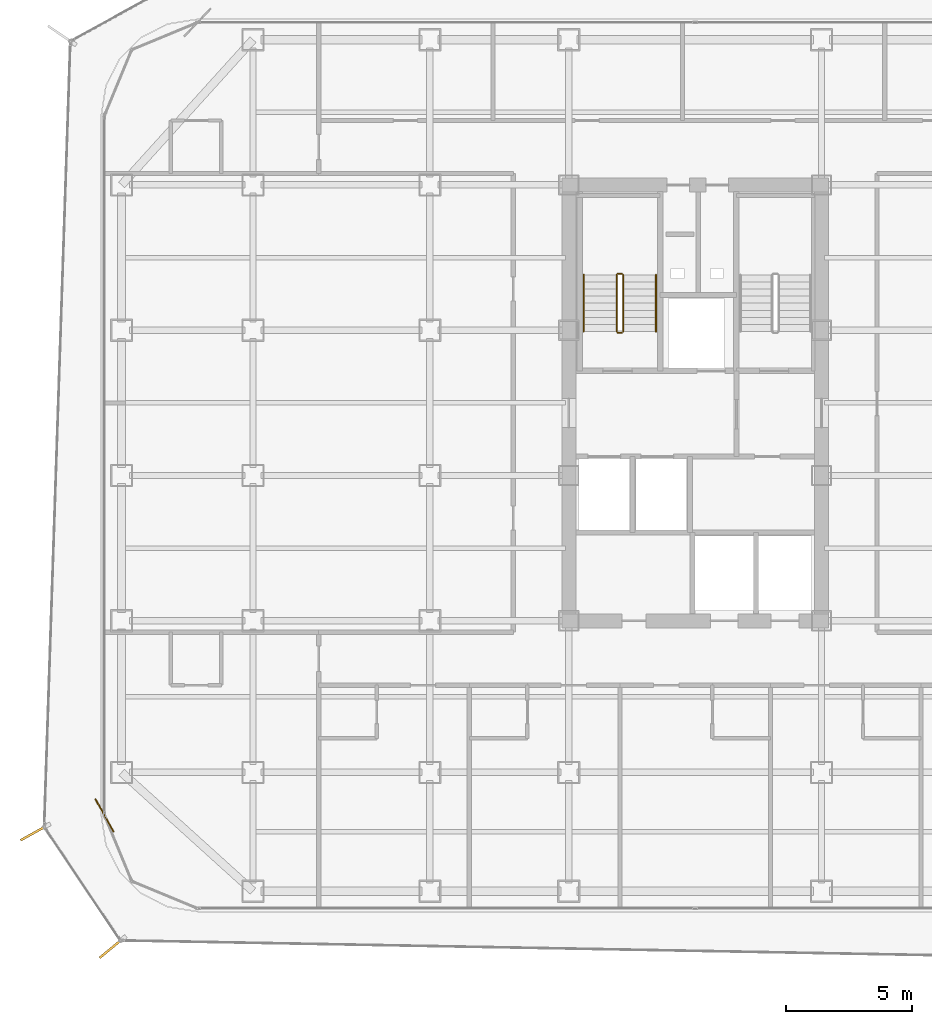
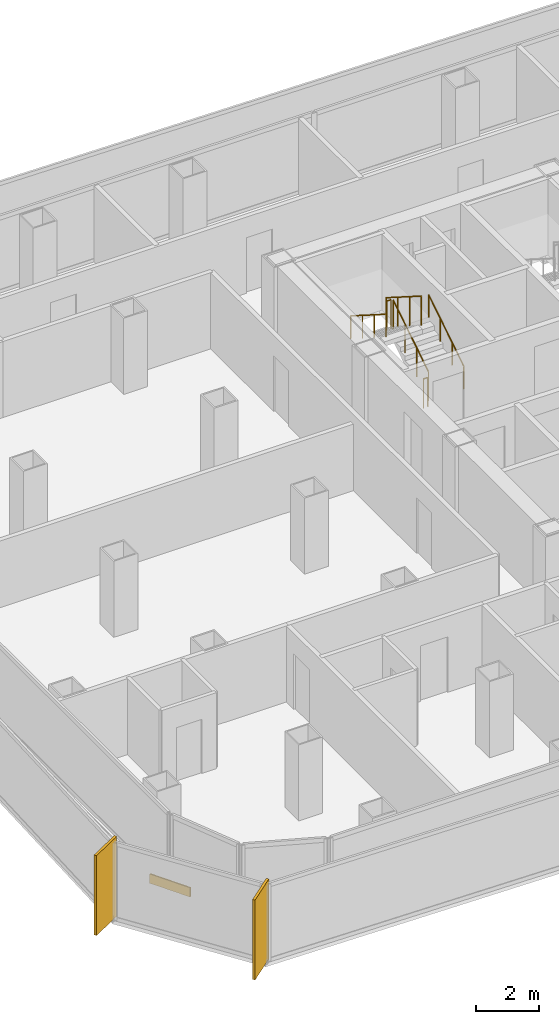
# One storey, part 19 of 21: 6 railings, 2 shading devices, 1 covering.
"""IFC4 building model written with IfcOpenShell, lengths in metres."""

from ifc_helpers import new_model, si_unit, direction, frame, origin, origin_2d, place, context, subcontext, project, spatial, rectangle, circle, extrude, source, transform, mapped, material, layer, layer_set, type_object, element, save


model = new_model("IFC4")

# Units and contexts
model_context = context("Model", 3, precision=1e-05, world=origin(), true_north=direction((0.0, 1.0)))
body_context = subcontext(model_context, "Body", "Model", "MODEL_VIEW")
ifc_project = project(units=[si_unit("LENGTHUNIT", "METRE"), si_unit("AREAUNIT", "SQUARE_METRE"), si_unit("VOLUMEUNIT", "CUBIC_METRE"), si_unit("PLANEANGLEUNIT", "RADIAN"), si_unit("MASSUNIT", "GRAM", prefix="KILO")], contexts=[model_context])

# Site, building, storey
site_placement = place(None, origin())
site = spatial("IfcSite", under=ifc_project, at=site_placement, CompositionType="ELEMENT")
building_placement = place(site_placement, origin())
building = spatial("IfcBuilding", under=site, at=building_placement, Name="Kolveth Station Tower", CompositionType="ELEMENT")
storey_placement = place(building_placement, frame((0.0, 0.0, 111.89990234375)))
storey = spatial("IfcBuildingStorey", under=building, at=storey_placement, Name="L30", CompositionType="ELEMENT", Elevation=111.89990234375)

# Railings
ifc_material_1 = material(Name="Painted Steel S355 balustrade", Category="steel")
railing_type_1 = type_object("IfcRailingType", Name="Guard_GR2", PredefinedType="BALUSTRADE", material=ifc_material_1)
railing_1_placement = place(storey_placement, frame((20.64990234375, 22.949951171875, 0.177978515625)))
element("IfcRailing", 1, at=railing_1_placement, inside=storey, type_object=railing_type_1, Name="L30 ST1 stair guard 1", PredefinedType="BALUSTRADE", context=body_context, shape_type="SweptSolid", body=[
    extrude(circle(Radius=0.02392578125, at=origin_2d()), frame((0.0, 0.0, 1.1259765625), z_axis=(0.0, 0.8442293374, 0.53598211339), x_axis=(-1.0, 0.0, 0.0)), (0.0, 0.0, 1.0), 2.6533203125),
    extrude(circle(Radius=0.02099609375, at=origin_2d()), origin(), (0.0, 0.0, 1.0), 1.101806640625),
    extrude(circle(Radius=0.02099609375, at=origin_2d()), frame((0.0, 0.74658203125, 0.47412109375)), (0.0, 0.0, 1.0), 1.101806640625),
    extrude(circle(Radius=0.02099609375, at=origin_2d()), frame((0.0, 1.493408203125, 0.947998046875)), (0.0, 0.0, 1.0), 1.101806640625),
    extrude(circle(Radius=0.02099609375, at=origin_2d()), frame((0.0, 2.239990234375, 1.422119140625)), (0.0, 0.0, 1.0), 1.101806640625),
])
railing_2_placement = place(storey_placement, frame((20.60009765625, 25.239990234375, 1.60009765625)))
element("IfcRailing", 2, at=railing_2_placement, inside=storey, type_object=railing_type_1, Name="L30 ST1 stair guard 2", PredefinedType="BALUSTRADE", context=body_context, shape_type="SweptSolid", body=[
    extrude(circle(Radius=0.02392578125, at=origin_2d()), frame((0.0, 0.0, 1.1259765625), z_axis=(-1.0, 0.0, 0.0), x_axis=(0.0, -1.0, 0.0)), (0.0, 0.0, 1.0), 0.16015625),
    extrude(circle(Radius=0.02099609375, at=origin_2d()), origin(), (0.0, 0.0, 1.0), 1.101806640625),
    extrude(circle(Radius=0.02099609375, at=origin_2d()), frame((-0.16015625, 0.0, 0.0)), (0.0, 0.0, 1.0), 1.101806640625),
])
railing_3_placement = place(storey_placement, frame((20.389892578125, 25.18994140625, 1.77783203125)))
element("IfcRailing", 3, at=railing_3_placement, inside=storey, type_object=railing_type_1, Name="L30 ST1 stair guard 3", PredefinedType="BALUSTRADE", context=body_context, shape_type="SweptSolid", body=[
    extrude(circle(Radius=0.02392578125, at=origin_2d()), frame((0.0, 0.0, 1.1259765625), z_axis=(0.0, -0.84418770128, 0.536047689118), x_axis=(1.0, 0.0, 0.0)), (0.0, 0.0, 1.0), 2.6533203125),
    extrude(circle(Radius=0.02099609375, at=origin_2d()), origin(), (0.0, 0.0, 1.0), 1.101806640625),
    extrude(circle(Radius=0.02099609375, at=origin_2d()), frame((0.0, -0.74658203125, 0.47412109375)), (0.0, 0.0, 1.0), 1.101806640625),
    extrude(circle(Radius=0.02099609375, at=origin_2d()), frame((0.0, -1.493408203125, 0.9482421875)), (0.0, 0.0, 1.0), 1.101806640625),
    extrude(circle(Radius=0.02099609375, at=origin_2d()), frame((0.0, -2.239990234375, 1.42236328125)), (0.0, 0.0, 1.0), 1.101806640625),
])
railing_4_placement = place(storey_placement, frame((20.60009765625, 22.89990234375, 0.0)))
element("IfcRailing", 4, at=railing_4_placement, inside=storey, type_object=railing_type_1, Name="L30 ST1 stair guard 4", PredefinedType="BALUSTRADE", context=body_context, shape_type="SweptSolid", body=[
    extrude(circle(Radius=0.02392578125, at=origin_2d()), frame((0.0, 0.0, 1.1259765625), z_axis=(-1.0, 0.0, 0.0), x_axis=(0.0, -1.0, 0.0)), (0.0, 0.0, 1.0), 0.16015625),
    extrude(circle(Radius=0.02099609375, at=origin_2d()), origin(), (0.0, 0.0, 1.0), 1.101806640625),
    extrude(circle(Radius=0.02099609375, at=origin_2d()), frame((-0.16015625, 0.0, 0.0)), (0.0, 0.0, 1.0), 1.101806640625),
])
ifc_material_2 = material(Name="Brushed stainless steel", Category="steel")
railing_type_2 = type_object("IfcRailingType", Name="Handrail_HR1", PredefinedType="HANDRAIL", material=ifc_material_2)
railing_5_placement = place(storey_placement, frame((21.949951171875, 22.949951171875, 0.177978515625)))
element("IfcRailing", 5, at=railing_5_placement, inside=storey, type_object=railing_type_2, Name="L30 ST1 stair handrail 1", PredefinedType="HANDRAIL", context=body_context, shape_type="SweptSolid", body=[
    extrude(circle(Radius=0.02392578125, at=origin_2d()), frame((0.0, 0.0, 0.8759765625), z_axis=(0.0, 0.8442293374, 0.53598211339), x_axis=(-1.0, 0.0, 0.0)), (0.0, 0.0, 1.0), 2.6533203125),
    extrude(circle(Radius=0.02099609375, at=origin_2d()), origin(), (0.0, 0.0, 1.0), 0.851806640625),
    extrude(circle(Radius=0.02099609375, at=origin_2d()), frame((0.0, 0.74658203125, 0.47412109375)), (0.0, 0.0, 1.0), 0.851806640625),
    extrude(circle(Radius=0.02099609375, at=origin_2d()), frame((0.0, 1.493408203125, 0.947998046875)), (0.0, 0.0, 1.0), 0.851806640625),
    extrude(circle(Radius=0.02099609375, at=origin_2d()), frame((0.0, 2.239990234375, 1.422119140625)), (0.0, 0.0, 1.0), 0.851806640625),
])
railing_6_placement = place(storey_placement, frame((19.090087890625, 25.18994140625, 1.77783203125)))
element("IfcRailing", 6, at=railing_6_placement, inside=storey, type_object=railing_type_2, Name="L30 ST1 stair handrail 2", PredefinedType="HANDRAIL", context=body_context, shape_type="SweptSolid", body=[
    extrude(circle(Radius=0.02392578125, at=origin_2d()), frame((0.0, 0.0, 0.8759765625), z_axis=(0.0, -0.84418770128, 0.536047689118), x_axis=(1.0, 0.0, 0.0)), (0.0, 0.0, 1.0), 2.6533203125),
    extrude(circle(Radius=0.02099609375, at=origin_2d()), origin(), (0.0, 0.0, 1.0), 0.851806640625),
    extrude(circle(Radius=0.02099609375, at=origin_2d()), frame((0.0, -0.74658203125, 0.47412109375)), (0.0, 0.0, 1.0), 0.851806640625),
    extrude(circle(Radius=0.02099609375, at=origin_2d()), frame((0.0, -1.493408203125, 0.9482421875)), (0.0, 0.0, 1.0), 0.851806640625),
    extrude(circle(Radius=0.02099609375, at=origin_2d()), frame((0.0, -2.239990234375, 1.42236328125)), (0.0, 0.0, 1.0), 0.851806640625),
])

# Shading devices
ifc_material_3 = material(Name="Black anodized aluminium 6063-T6", Category="aluminium")
shading_device_type = type_object("IfcShadingDeviceType", Name="FIN_VF1", PredefinedType="USERDEFINED", material=ifc_material_3)
shared_shape_1 = source(origin(), body_context, "Body", "SweptSolid", [
    extrude(rectangle(XDim=1.25, YDim=0.090087890625, at=origin_2d()), origin(), (0.0, 0.0, 1.0), 3.10009765625),
])
for number, where, z_axis, x_axis, name in (
    (7, (-2.654052734375, 3.116943359375, 0.0), (0.0, 0.0, 1.0), (-0.874111536221, -0.485725253868, 0.0), "L30 Dark-Aluminium Solar Fin 7"),
    (8, (0.410888671875, -1.44189453125, 0.0), (0.0, 0.0, 1.0), (-0.770624482513, -0.637289500111, 0.0), "L30 Dark-Aluminium Solar Fin 8"),
):
    element("IfcShadingDevice", number, at=place(storey_placement, frame(where, z_axis=z_axis, x_axis=x_axis)), inside=storey, type_object=shading_device_type, Name=name, ObjectType="FIN", PredefinedType="USERDEFINED", context=body_context, shape_type="MappedRepresentation", body=[
        mapped(shared_shape_1, transform((0.0, 0.0, 0.0), x_axis=(1.0, 0.0, 0.0), y_axis=(0.0, 1.0, 0.0), z_axis=(0.0, 0.0, 1.0), scale=1.0)),
    ])

# Covering
ifc_material_4 = material(Name="Charcoal anodized aluminium spandrel cladding", Category="aluminium")
ifc_layer = layer(ifc_material_4, 0.044921875)
ifc_layer_set = layer_set([ifc_layer], Name="Charcoal anodized aluminium spandrel cladding")
covering_type = type_object("IfcCoveringType", Name="Clad_CD1", PredefinedType="CLADDING", material=ifc_layer_set)
shared_shape_2 = source(origin(), body_context, "Body", "SweptSolid", [
    extrude(rectangle(XDim=1.5, YDim=0.044921875, at=origin_2d()), origin(), (0.0, 0.0, 1.0), 0.360107421875),
])
covering_placement = place(storey_placement, frame((0.1201171875, 3.800048828125, 0.0), z_axis=(0.0, 0.0, 1.0), x_axis=(0.485725253868, -0.874111536221, 0.0)))
element("IfcCovering", 9, at=covering_placement, inside=storey, type_object=covering_type, Name="L30 Spandrel Edge Cladding 7", PredefinedType="CLADDING", context=body_context, shape_type="MappedRepresentation", body=[
    mapped(shared_shape_2, transform((0.0, 0.0, 0.0), x_axis=(1.0, 0.0, 0.0), y_axis=(0.0, 1.0, 0.0), z_axis=(0.0, 0.0, 1.0), scale=1.0)),
])

save(model, "model.ifc")
